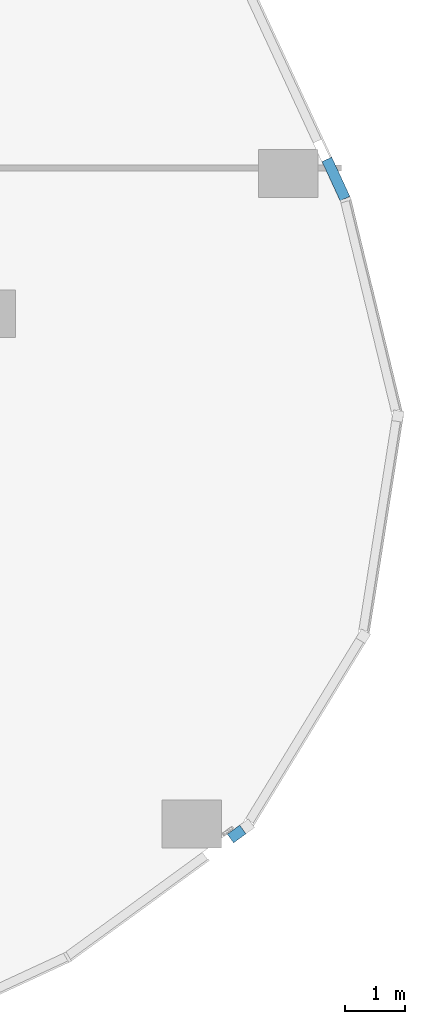
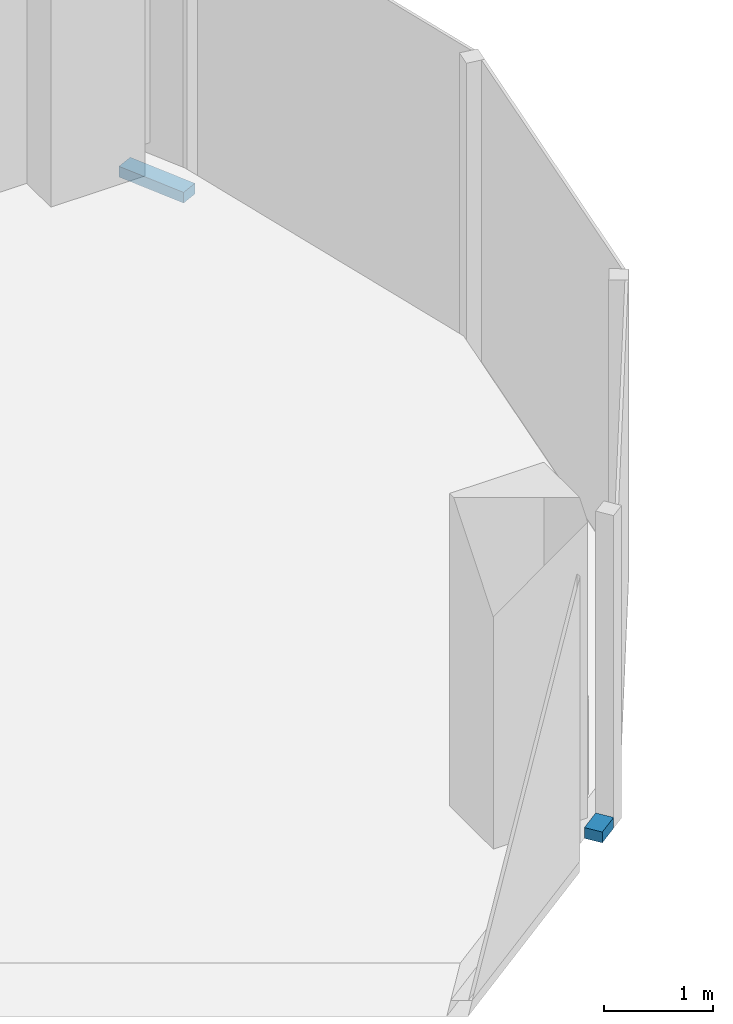
# One storey, part 13 of 23: 2 members, 2 elements without a shape of their own.
"""IFC4 building model written with IfcOpenShell, lengths in metres."""

from ifc_helpers import new_model, si_unit, direction, frame, origin, origin_2d, place, context, subcontext, project, spatial, rectangle, extrude, material, material_profile, profile_set, type_object, element, aggregate, save


model = new_model("IFC4")

# Units and contexts
model_context = context("Model", 3, precision=1e-05, world=origin(), true_north=direction((0.0, 1.0)))
body_context = subcontext(model_context, "Body", "Model", "MODEL_VIEW")
ifc_project = project(units=[si_unit("LENGTHUNIT", "METRE"), si_unit("AREAUNIT", "SQUARE_METRE"), si_unit("VOLUMEUNIT", "CUBIC_METRE"), si_unit("PLANEANGLEUNIT", "RADIAN"), si_unit("MASSUNIT", "GRAM", prefix="KILO")], contexts=[model_context])

# Site, building, storey
site_placement = place(None, origin())
site = spatial("IfcSite", under=ifc_project, at=site_placement, CompositionType="ELEMENT")
building_placement = place(site_placement, origin())
building = spatial("IfcBuilding", under=site, at=building_placement, Name="Orlundy Tower", CompositionType="ELEMENT")
storey_placement = place(building_placement, frame((0.0, 0.0, 257.0)))
storey = spatial("IfcBuildingStorey", under=building, at=storey_placement, Name="L68", CompositionType="ELEMENT", Elevation=257.0)

# Curtain wall, member
ifc_material_1 = material(Name="Aluminium bronze anodised", Category="aluminium")
curtain_wall_type = type_object("IfcCurtainWallType", Name="CW1 wall", PredefinedType="NOTDEFINED", material=ifc_material_1)
curtain_wall_1_placement = place(storey_placement, origin())
curtain_wall_1 = element("IfcCurtainWall", 1, at=curtain_wall_1_placement, inside=storey, type_object=curtain_wall_type, Name="CW1 run 15", PredefinedType="NOTDEFINED")
ifc_material_2 = material(Name="Aluminium bronze anodised", Category="aluminium")
ifc_material_profile = material_profile(ifc_material_2, rectangle(XDim=0.179931640625, YDim=0.1201171875, at=origin_2d()), Name="CW1 transom 180x120")
ifc_profile_set = profile_set([ifc_material_profile], Name="Aluminium bronze anodised")
member_type = type_object("IfcMemberType", Name="CW1 transom 180x120", PredefinedType="USERDEFINED", material=ifc_profile_set)
member_1_placement = place(storey_placement, frame((40.027099609375, 7.771240234375, -0.340087890625), z_axis=(0.419826001954, -0.907604609994, 0.0), x_axis=(0.907604609994, 0.419826001954, 0.0)))
member_1 = element("IfcMember", 2, at=member_1_placement, type_object=member_type, Name="CW1 transom", ObjectType="TRANSOM", PredefinedType="USERDEFINED", context=body_context, shape_type="SweptSolid", body=[
    extrude(rectangle(XDim=0.179931640625, YDim=0.1201171875, at=origin_2d()), origin(), (0.0, 0.0, 1.0), 0.725830078125),
])
aggregate(curtain_wall_1, [member_1])

curtain_wall_2_placement = place(storey_placement, origin())
curtain_wall_2 = element("IfcCurtainWall", 3, at=curtain_wall_2_placement, inside=storey, type_object=curtain_wall_type, Name="CW1 run 19", PredefinedType="NOTDEFINED")
member_2_placement = place(storey_placement, frame((38.61572265625, -3.483154296875, -0.340087890625), z_axis=(-0.808242953664, -0.588849155431, 0.0), x_axis=(0.588849155431, -0.808242953664, 0.0)))
member_2 = element("IfcMember", 4, at=member_2_placement, type_object=member_type, Name="CW1 transom", ObjectType="TRANSOM", PredefinedType="USERDEFINED", context=body_context, shape_type="SweptSolid", body=[
    extrude(rectangle(XDim=0.179931640625, YDim=0.1201171875, at=origin_2d()), origin(), (0.0, 0.0, 1.0), 0.257080078125),
])
aggregate(curtain_wall_2, [member_2])

save(model, "model.ifc")
